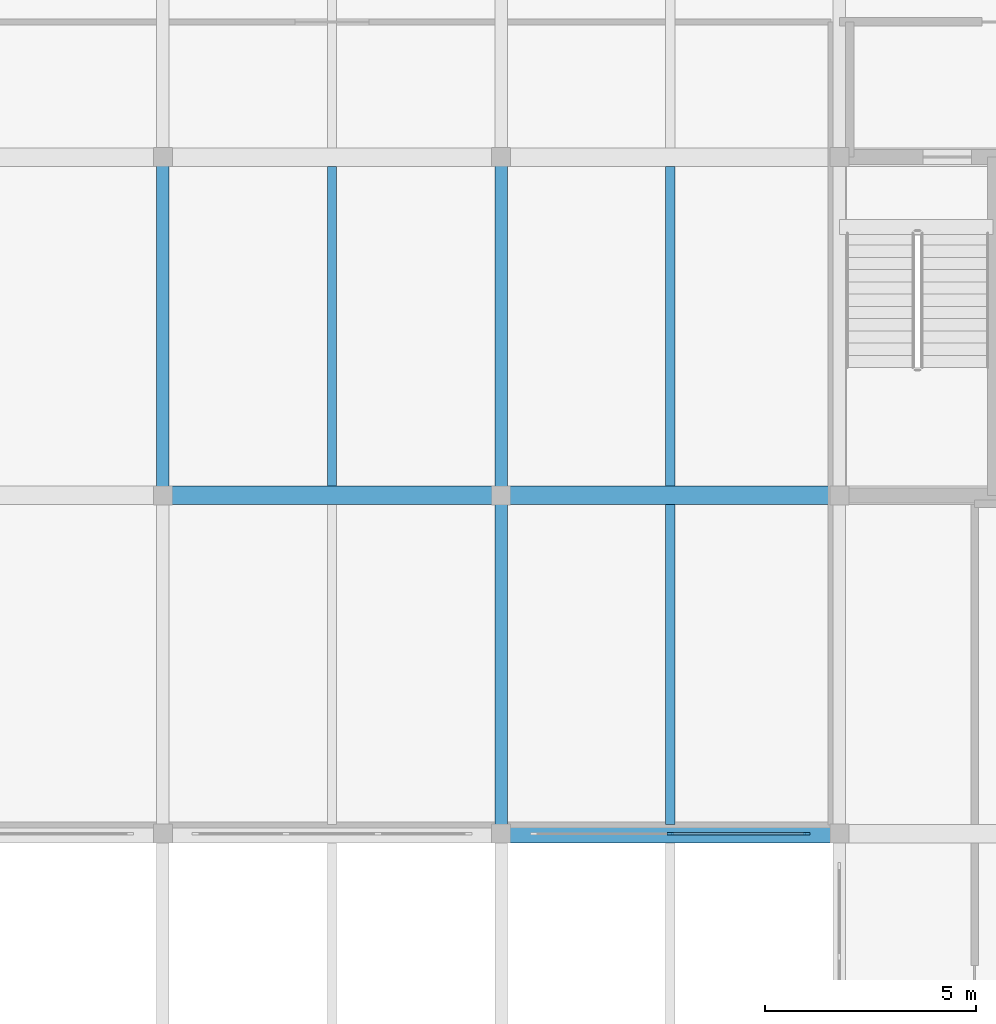
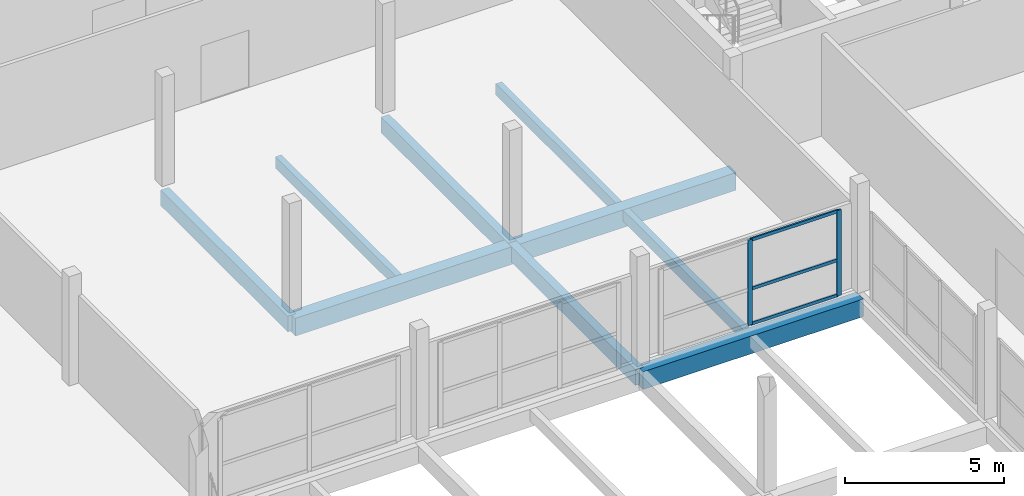
# One storey, part 12 of 53: 9 beams, 5 members, 1 element without a shape of its own.
"""IFC4 building model written with IfcOpenShell, lengths in metres."""

from ifc_helpers import new_model, si_unit, direction, frame, origin, origin_2d, place, context, subcontext, project, spatial, rectangle, extrude, material, material_profile, profile_set, type_object, element, aggregate, save


model = new_model("IFC4")

# Units and contexts
model_context = context("Model", 3, precision=1e-05, world=origin(), true_north=direction((0.0, 1.0)))
body_context = subcontext(model_context, "Body", "Model", "MODEL_VIEW")
ifc_project = project(units=[si_unit("LENGTHUNIT", "METRE"), si_unit("AREAUNIT", "SQUARE_METRE"), si_unit("VOLUMEUNIT", "CUBIC_METRE"), si_unit("PLANEANGLEUNIT", "RADIAN"), si_unit("MASSUNIT", "GRAM", prefix="KILO")], contexts=[model_context])

# Site, building, storey
site_placement = place(None, origin())
site = spatial("IfcSite", under=ifc_project, at=site_placement, CompositionType="ELEMENT")
building_placement = place(site_placement, origin())
building = spatial("IfcBuilding", under=site, at=building_placement, Name="Vharandega Faculty of Natural Sciences", CompositionType="ELEMENT")
storey_placement = place(building_placement, frame((0.0, 0.0, 10.199951171875)))
storey = spatial("IfcBuildingStorey", under=building, at=storey_placement, Name="L02", CompositionType="ELEMENT", Elevation=10.199951171875)

# Curtain wall, members
ifc_material_1 = material(Name="Aluminium and solar-control glass curtain wall", Category="aluminium")
curtain_wall_type = type_object("IfcCurtainWallType", Name="Unitised Curtain Wall System CW-07", PredefinedType="NOTDEFINED", material=ifc_material_1)
curtain_wall_placement = place(storey_placement, origin())
curtain_wall = element("IfcCurtainWall", 1, at=curtain_wall_placement, inside=storey, type_object=curtain_wall_type, Name="Curtain Wall CW-L02-146", PredefinedType="NOTDEFINED")
ifc_material_2 = material(Name="Thermally broken aluminium 6063-T6", Category="aluminium")
ifc_material_profile_1 = material_profile(ifc_material_2, rectangle(XDim=0.06005859375, YDim=0.159912109375, at=origin_2d()), Name="ALU 60x160")
ifc_profile_set_1 = profile_set([ifc_material_profile_1], Name="Thermally broken aluminium 6063-T6")
member_type_1 = type_object("IfcMemberType", Name="CW Mullion 60x160", PredefinedType="MULLION", material=ifc_profile_set_1)
member_1_placement = place(storey_placement, frame((28.0, 32.0, 0.0), z_axis=(0.0, 0.0, 1.0), x_axis=(0.0, 1.0, 0.0)))
member_1 = element("IfcMember", 2, at=member_1_placement, type_object=member_type_1, Name="CW-07 mullion 2", PredefinedType="MULLION", context=body_context, shape_type="SweptSolid", body=[
    extrude(rectangle(XDim=0.06005859375, YDim=0.159912109375, at=origin_2d()), origin(), (0.0, 0.0, 1.0), 3.280029296875),
])
member_2_placement = place(storey_placement, frame((31.22998046875, 32.0, 0.0), z_axis=(0.0, 0.0, 1.0), x_axis=(0.0, 1.0, 0.0)))
member_2 = element("IfcMember", 3, at=member_2_placement, type_object=member_type_1, Name="CW-07 mullion 3", PredefinedType="MULLION", context=body_context, shape_type="SweptSolid", body=[
    extrude(rectangle(XDim=0.06005859375, YDim=0.159912109375, at=origin_2d()), origin(), (0.0, 0.0, 1.0), 3.280029296875),
])
ifc_material_3 = material(Name="Thermally broken aluminium 6063-T6", Category="aluminium")
ifc_material_profile_2 = material_profile(ifc_material_3, rectangle(XDim=0.06005859375, YDim=0.1201171875, at=origin_2d()), Name="ALU 60x120")
ifc_profile_set_2 = profile_set([ifc_material_profile_2], Name="Thermally broken aluminium 6063-T6")
member_type_2 = type_object("IfcMemberType", Name="CW Transom 60x120", PredefinedType="USERDEFINED", material=ifc_profile_set_2)
member_3_placement = place(storey_placement, frame((28.030029296875, 32.0, 0.030029296875), z_axis=(1.0, 0.0, 0.0), x_axis=(0.0, 1.0, 0.0)))
member_3 = element("IfcMember", 4, at=member_3_placement, type_object=member_type_2, Name="CW-07 transom 2.1", ObjectType="TRANSOM", PredefinedType="USERDEFINED", context=body_context, shape_type="SweptSolid", body=[
    extrude(rectangle(XDim=0.06005859375, YDim=0.1201171875, at=origin_2d()), origin(), (0.0, 0.0, 1.0), 3.169921875),
])
member_4_placement = place(storey_placement, frame((28.030029296875, 32.0, 1.377685546875), z_axis=(1.0, 0.0, 0.0), x_axis=(0.0, 1.0, 0.0)))
member_4 = element("IfcMember", 5, at=member_4_placement, type_object=member_type_2, Name="CW-07 transom 2.2", ObjectType="TRANSOM", PredefinedType="USERDEFINED", context=body_context, shape_type="SweptSolid", body=[
    extrude(rectangle(XDim=0.06005859375, YDim=0.1201171875, at=origin_2d()), origin(), (0.0, 0.0, 1.0), 3.169921875),
])
member_5_placement = place(storey_placement, frame((28.030029296875, 32.0, 3.25), z_axis=(1.0, 0.0, 0.0), x_axis=(0.0, 1.0, 0.0)))
member_5 = element("IfcMember", 6, at=member_5_placement, type_object=member_type_2, Name="CW-07 transom 2.3", ObjectType="TRANSOM", PredefinedType="USERDEFINED", context=body_context, shape_type="SweptSolid", body=[
    extrude(rectangle(XDim=0.06005859375, YDim=0.1201171875, at=origin_2d()), origin(), (0.0, 0.0, 1.0), 3.169921875),
])
aggregate(curtain_wall, [member_1, member_2, member_3, member_4, member_5])

# Beams
ifc_material_4 = material(Name="Glulam GL28h", Category="wood")
ifc_material_profile_3 = material_profile(ifc_material_4, rectangle(XDim=0.300048828125, YDim=0.60009765625, at=origin_2d()), Name="GL28h 300x600")
ifc_profile_set_3 = profile_set([ifc_material_profile_3], Name="Glulam GL28h")
beam_type_1 = type_object("IfcBeamType", Name="Glulam Floor Beam 300x600", PredefinedType="BEAM", material=ifc_profile_set_3)
for number, where, z_axis, x_axis, name in (
    (7, (16.0, 40.0, -0.579833984375), (0.0, 1.0, 0.0), (-1.0, 0.0, 0.0), "Beam L02 3/F-G"),
    (8, (24.0, 32.0, -0.579833984375), (0.0, 1.0, 0.0), (-1.0, 0.0, 0.0), "Beam L02 4/E-F"),
    (9, (24.0, 40.0, -0.579833984375), (0.0, 1.0, 0.0), (-1.0, 0.0, 0.0), "Beam L02 4/F-G"),
):
    element("IfcBeam", number, at=place(storey_placement, frame(where, z_axis=z_axis, x_axis=x_axis)), inside=storey, type_object=beam_type_1, Name=name, PredefinedType="BEAM", context=body_context, shape_type="SweptSolid", body=[
        extrude(rectangle(XDim=0.300048828125, YDim=0.60009765625, at=origin_2d()), origin(), (0.0, 0.0, 1.0), 8.0),
    ])
ifc_material_5 = material(Name="Glulam GL32h", Category="wood")
ifc_material_profile_4 = material_profile(ifc_material_5, rectangle(XDim=0.43994140625, YDim=0.679931640625, at=origin_2d()), Name="GL32h 440x680")
ifc_profile_set_4 = profile_set([ifc_material_profile_4], Name="Glulam GL32h")
beam_type_2 = type_object("IfcBeamType", Name="Glulam Girder 440x680", PredefinedType="BEAM", material=ifc_profile_set_4)
for number, where, z_axis, x_axis, name in (
    (10, (24.0, 32.0, -0.619873046875), (1.0, 0.0, 0.0), (0.0, 1.0, 0.0), "Beam L02 E/4-5"),
    (11, (16.0, 40.0, -0.619873046875), (1.0, 0.0, 0.0), (0.0, 1.0, 0.0), "Beam L02 F/3-4"),
    (12, (24.0, 40.0, -0.619873046875), (1.0, 0.0, 0.0), (0.0, 1.0, 0.0), "Beam L02 F/4-5"),
):
    element("IfcBeam", number, at=place(storey_placement, frame(where, z_axis=z_axis, x_axis=x_axis)), inside=storey, type_object=beam_type_2, Name=name, PredefinedType="BEAM", context=body_context, shape_type="SweptSolid", body=[
        extrude(rectangle(XDim=0.43994140625, YDim=0.679931640625, at=origin_2d()), origin(), (0.0, 0.0, 1.0), 8.0),
    ])
ifc_material_6 = material(Name="Glulam GL28h", Category="wood")
ifc_material_profile_5 = material_profile(ifc_material_6, rectangle(XDim=0.219970703125, YDim=0.43994140625, at=origin_2d()), Name="GL28h 220x440")
ifc_profile_set_5 = profile_set([ifc_material_profile_5], Name="Glulam GL28h")
beam_type_3 = type_object("IfcBeamType", Name="Glulam Secondary Joist 220x440", PredefinedType="JOIST", material=ifc_profile_set_5)
for number, where, z_axis, x_axis, name in (
    (13, (20.0, 40.219970703125, -0.5), (0.0, 1.0, 0.0), (-1.0, 0.0, 0.0), "Secondary Joist L02 3-4/F-G"),
    (14, (28.0, 32.219970703125, -0.5), (0.0, 1.0, 0.0), (-1.0, 0.0, 0.0), "Secondary Joist L02 4-5/E-F"),
    (15, (28.0, 40.219970703125, -0.5), (0.0, 1.0, 0.0), (-1.0, 0.0, 0.0), "Secondary Joist L02 4-5/F-G"),
):
    element("IfcBeam", number, at=place(storey_placement, frame(where, z_axis=z_axis, x_axis=x_axis)), inside=storey, type_object=beam_type_3, Name=name, PredefinedType="JOIST", context=body_context, shape_type="SweptSolid", body=[
        extrude(rectangle(XDim=0.219970703125, YDim=0.43994140625, at=origin_2d()), origin(), (0.0, 0.0, 1.0), 7.56005859375),
    ])

save(model, "model.ifc")
